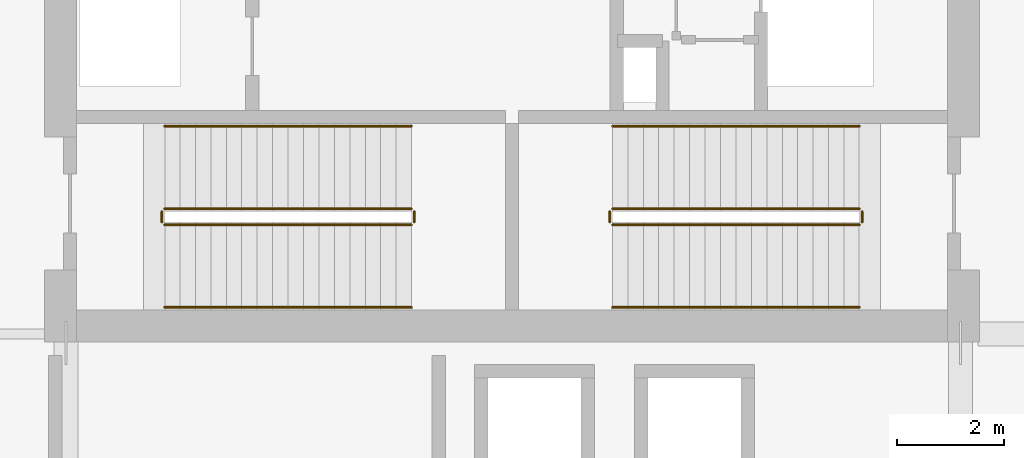
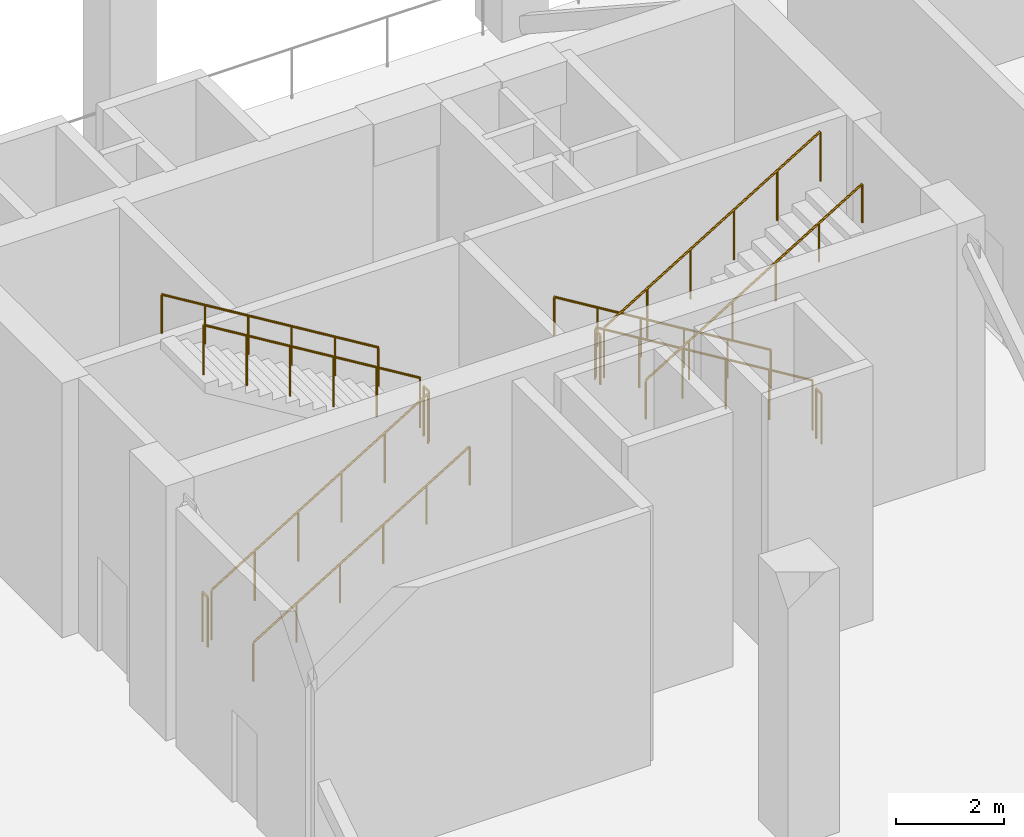
# One storey, part 15 of 18: 12 railings.
"""IFC4 building model written with IfcOpenShell, lengths in metres."""

from ifc_helpers import new_model, si_unit, direction, frame, origin, origin_2d, place, context, subcontext, project, spatial, circle, extrude, material, type_object, element, save


model = new_model("IFC4")

# Units and contexts
model_context = context("Model", 3, precision=1e-05, world=origin(), true_north=direction((0.0, 1.0)))
body_context = subcontext(model_context, "Body", "Model", "MODEL_VIEW")
ifc_project = project(units=[si_unit("LENGTHUNIT", "METRE"), si_unit("AREAUNIT", "SQUARE_METRE"), si_unit("VOLUMEUNIT", "CUBIC_METRE"), si_unit("PLANEANGLEUNIT", "RADIAN"), si_unit("MASSUNIT", "GRAM", prefix="KILO")], contexts=[model_context])

# Site, building, storey
site_placement = place(None, origin())
site = spatial("IfcSite", under=ifc_project, at=site_placement, CompositionType="ELEMENT")
building_placement = place(site_placement, origin())
building = spatial("IfcBuilding", under=site, at=building_placement, Name="Koriwani Terraces Tower", CompositionType="ELEMENT")
storey_placement = place(building_placement, frame((0.0, 0.0, 228.199951171875)))
storey = spatial("IfcBuildingStorey", under=building, at=storey_placement, Name="L56", CompositionType="ELEMENT", Elevation=228.199951171875)

# Railings
ifc_material = material(Name="Steel ASTM A572 Grade 50", Category="steel")
railing_type_1 = type_object("IfcRailingType", Name="GUARD_STAIR_WELL_1120", PredefinedType="GUARDRAIL", material=ifc_material)
railing_1_placement = place(storey_placement, frame((43.85009765625, 18.85009765625, 0.176513671875)))
element("IfcRailing", 1, at=railing_1_placement, inside=storey, type_object=railing_type_1, Name="L56 ST-E1 stair guard 1", PredefinedType="GUARDRAIL", context=body_context, shape_type="SweptSolid", body=[
    extrude(circle(Radius=0.02392578125, at=origin_2d()), frame((0.0, 0.0, 1.1259765625), z_axis=(0.854263648073, 0.0, 0.51983999421), x_axis=(0.0, 1.0, 0.0)), (0.0, 0.0, 1.0), 5.431396484375),
    extrude(circle(Radius=0.02099609375, at=origin_2d()), origin(), (0.0, 0.0, 1.0), 1.101806640625),
    extrude(circle(Radius=0.02099609375, at=origin_2d()), frame((0.927978515625, 0.0, 0.564697265625)), (0.0, 0.0, 1.0), 1.101806640625),
    extrude(circle(Radius=0.02099609375, at=origin_2d()), frame((1.85595703125, 0.0, 1.12939453125)), (0.0, 0.0, 1.0), 1.101806640625),
    extrude(circle(Radius=0.02099609375, at=origin_2d()), frame((2.783935546875, 0.0, 1.694091796875)), (0.0, 0.0, 1.0), 1.101806640625),
    extrude(circle(Radius=0.02099609375, at=origin_2d()), frame((3.7119140625, 0.0, 2.2587890625)), (0.0, 0.0, 1.0), 1.101806640625),
    extrude(circle(Radius=0.02099609375, at=origin_2d()), frame((4.639892578125, 0.0, 2.823486328125)), (0.0, 0.0, 1.0), 1.101806640625),
])
railing_2_placement = place(storey_placement, frame((48.5400390625, 18.89990234375, 3.0)))
element("IfcRailing", 2, at=railing_2_placement, inside=storey, type_object=railing_type_1, Name="L56 ST-E1 stair guard 2", PredefinedType="GUARDRAIL", context=body_context, shape_type="SweptSolid", body=[
    extrude(circle(Radius=0.02392578125, at=origin_2d()), frame((0.0, 0.0, 1.1259765625), z_axis=(0.0, 1.0, 0.0), x_axis=(-1.0, 0.0, 0.0)), (0.0, 0.0, 1.0), 0.2001953125),
    extrude(circle(Radius=0.02099609375, at=origin_2d()), origin(), (0.0, 0.0, 1.0), 1.101806640625),
    extrude(circle(Radius=0.02099609375, at=origin_2d()), frame((0.0, 0.2001953125, 0.0)), (0.0, 0.0, 1.0), 1.101806640625),
])
railing_3_placement = place(storey_placement, frame((48.489990234375, 19.14990234375, 3.176513671875)))
element("IfcRailing", 3, at=railing_3_placement, inside=storey, type_object=railing_type_1, Name="L56 ST-E1 stair guard 3", PredefinedType="GUARDRAIL", context=body_context, shape_type="SweptSolid", body=[
    extrude(circle(Radius=0.02392578125, at=origin_2d()), frame((0.0, 0.0, 1.1259765625), z_axis=(-0.854263648073, 0.0, 0.51983999421), x_axis=(0.0, -1.0, 0.0)), (0.0, 0.0, 1.0), 5.431396484375),
    extrude(circle(Radius=0.02099609375, at=origin_2d()), origin(), (0.0, 0.0, 1.0), 1.101806640625),
    extrude(circle(Radius=0.02099609375, at=origin_2d()), frame((-0.927978515625, 0.0, 0.564697265625)), (0.0, 0.0, 1.0), 1.101806640625),
    extrude(circle(Radius=0.02099609375, at=origin_2d()), frame((-1.85595703125, 0.0, 1.12939453125)), (0.0, 0.0, 1.0), 1.101806640625),
    extrude(circle(Radius=0.02099609375, at=origin_2d()), frame((-2.783935546875, 0.0, 1.694091796875)), (0.0, 0.0, 1.0), 1.101806640625),
    extrude(circle(Radius=0.02099609375, at=origin_2d()), frame((-3.7119140625, 0.0, 2.2587890625)), (0.0, 0.0, 1.0), 1.101806640625),
    extrude(circle(Radius=0.02099609375, at=origin_2d()), frame((-4.639892578125, 0.0, 2.823486328125)), (0.0, 0.0, 1.0), 1.101806640625),
])
railing_4_placement = place(storey_placement, frame((43.800048828125, 18.89990234375, 0.0)))
element("IfcRailing", 4, at=railing_4_placement, inside=storey, type_object=railing_type_1, Name="L56 ST-E1 stair guard 4", PredefinedType="GUARDRAIL", context=body_context, shape_type="SweptSolid", body=[
    extrude(circle(Radius=0.02392578125, at=origin_2d()), frame((0.0, 0.0, 1.1259765625), z_axis=(0.0, 1.0, 0.0), x_axis=(-1.0, 0.0, 0.0)), (0.0, 0.0, 1.0), 0.2001953125),
    extrude(circle(Radius=0.02099609375, at=origin_2d()), origin(), (0.0, 0.0, 1.0), 1.101806640625),
    extrude(circle(Radius=0.02099609375, at=origin_2d()), frame((0.0, 0.2001953125, 0.0)), (0.0, 0.0, 1.0), 1.101806640625),
])
railing_5_placement = place(storey_placement, frame((56.89990234375, 19.14990234375, 0.176513671875)))
element("IfcRailing", 5, at=railing_5_placement, inside=storey, type_object=railing_type_1, Name="L56 ST-E2 stair guard 1", PredefinedType="GUARDRAIL", context=body_context, shape_type="SweptSolid", body=[
    extrude(circle(Radius=0.02392578125, at=origin_2d()), frame((0.0, 0.0, 1.1259765625), z_axis=(-0.854263648073, 0.0, 0.51983999421), x_axis=(0.0, -1.0, 0.0)), (0.0, 0.0, 1.0), 5.431396484375),
    extrude(circle(Radius=0.02099609375, at=origin_2d()), origin(), (0.0, 0.0, 1.0), 1.101806640625),
    extrude(circle(Radius=0.02099609375, at=origin_2d()), frame((-0.927978515625, 0.0, 0.564697265625)), (0.0, 0.0, 1.0), 1.101806640625),
    extrude(circle(Radius=0.02099609375, at=origin_2d()), frame((-1.85595703125, 0.0, 1.12939453125)), (0.0, 0.0, 1.0), 1.101806640625),
    extrude(circle(Radius=0.02099609375, at=origin_2d()), frame((-2.783935546875, 0.0, 1.694091796875)), (0.0, 0.0, 1.0), 1.101806640625),
    extrude(circle(Radius=0.02099609375, at=origin_2d()), frame((-3.7119140625, 0.0, 2.2587890625)), (0.0, 0.0, 1.0), 1.101806640625),
    extrude(circle(Radius=0.02099609375, at=origin_2d()), frame((-4.639892578125, 0.0, 2.823486328125)), (0.0, 0.0, 1.0), 1.101806640625),
])
railing_6_placement = place(storey_placement, frame((52.2099609375, 19.10009765625, 3.0)))
element("IfcRailing", 6, at=railing_6_placement, inside=storey, type_object=railing_type_1, Name="L56 ST-E2 stair guard 2", PredefinedType="GUARDRAIL", context=body_context, shape_type="SweptSolid", body=[
    extrude(circle(Radius=0.02392578125, at=origin_2d()), frame((0.0, 0.0, 1.1259765625), z_axis=(0.0, -1.0, 0.0), x_axis=(1.0, 0.0, 0.0)), (0.0, 0.0, 1.0), 0.2001953125),
    extrude(circle(Radius=0.02099609375, at=origin_2d()), origin(), (0.0, 0.0, 1.0), 1.101806640625),
    extrude(circle(Radius=0.02099609375, at=origin_2d()), frame((0.0, -0.2001953125, 0.0)), (0.0, 0.0, 1.0), 1.101806640625),
])
railing_7_placement = place(storey_placement, frame((52.260009765625, 18.85009765625, 3.176513671875)))
element("IfcRailing", 7, at=railing_7_placement, inside=storey, type_object=railing_type_1, Name="L56 ST-E2 stair guard 3", PredefinedType="GUARDRAIL", context=body_context, shape_type="SweptSolid", body=[
    extrude(circle(Radius=0.02392578125, at=origin_2d()), frame((0.0, 0.0, 1.1259765625), z_axis=(0.854263648073, 0.0, 0.51983999421), x_axis=(0.0, 1.0, 0.0)), (0.0, 0.0, 1.0), 5.431396484375),
    extrude(circle(Radius=0.02099609375, at=origin_2d()), origin(), (0.0, 0.0, 1.0), 1.101806640625),
    extrude(circle(Radius=0.02099609375, at=origin_2d()), frame((0.927978515625, 0.0, 0.564697265625)), (0.0, 0.0, 1.0), 1.101806640625),
    extrude(circle(Radius=0.02099609375, at=origin_2d()), frame((1.85595703125, 0.0, 1.12939453125)), (0.0, 0.0, 1.0), 1.101806640625),
    extrude(circle(Radius=0.02099609375, at=origin_2d()), frame((2.783935546875, 0.0, 1.694091796875)), (0.0, 0.0, 1.0), 1.101806640625),
    extrude(circle(Radius=0.02099609375, at=origin_2d()), frame((3.7119140625, 0.0, 2.2587890625)), (0.0, 0.0, 1.0), 1.101806640625),
    extrude(circle(Radius=0.02099609375, at=origin_2d()), frame((4.639892578125, 0.0, 2.823486328125)), (0.0, 0.0, 1.0), 1.101806640625),
])
railing_8_placement = place(storey_placement, frame((56.949951171875, 19.10009765625, 0.0)))
element("IfcRailing", 8, at=railing_8_placement, inside=storey, type_object=railing_type_1, Name="L56 ST-E2 stair guard 4", PredefinedType="GUARDRAIL", context=body_context, shape_type="SweptSolid", body=[
    extrude(circle(Radius=0.02392578125, at=origin_2d()), frame((0.0, 0.0, 1.1259765625), z_axis=(0.0, -1.0, 0.0), x_axis=(1.0, 0.0, 0.0)), (0.0, 0.0, 1.0), 0.2001953125),
    extrude(circle(Radius=0.02099609375, at=origin_2d()), origin(), (0.0, 0.0, 1.0), 1.101806640625),
    extrude(circle(Radius=0.02099609375, at=origin_2d()), frame((0.0, -0.2001953125, 0.0)), (0.0, 0.0, 1.0), 1.101806640625),
])
railing_type_2 = type_object("IfcRailingType", Name="HANDRAIL_STAIR_920", PredefinedType="HANDRAIL", material=ifc_material)
railing_9_placement = place(storey_placement, frame((43.85009765625, 17.300048828125, 0.176513671875)))
element("IfcRailing", 9, at=railing_9_placement, inside=storey, type_object=railing_type_2, Name="L56 ST-E1 stair handrail 1", PredefinedType="HANDRAIL", context=body_context, shape_type="SweptSolid", body=[
    extrude(circle(Radius=0.02392578125, at=origin_2d()), frame((0.0, 0.0, 0.8759765625), z_axis=(0.854263648073, 0.0, 0.51983999421), x_axis=(0.0, 1.0, 0.0)), (0.0, 0.0, 1.0), 5.431396484375),
    extrude(circle(Radius=0.02099609375, at=origin_2d()), origin(), (0.0, 0.0, 1.0), 0.851806640625),
    extrude(circle(Radius=0.02099609375, at=origin_2d()), frame((0.927978515625, 0.0, 0.564697265625)), (0.0, 0.0, 1.0), 0.851806640625),
    extrude(circle(Radius=0.02099609375, at=origin_2d()), frame((1.85595703125, 0.0, 1.12939453125)), (0.0, 0.0, 1.0), 0.851806640625),
    extrude(circle(Radius=0.02099609375, at=origin_2d()), frame((2.783935546875, 0.0, 1.694091796875)), (0.0, 0.0, 1.0), 0.851806640625),
    extrude(circle(Radius=0.02099609375, at=origin_2d()), frame((3.7119140625, 0.0, 2.2587890625)), (0.0, 0.0, 1.0), 0.851806640625),
    extrude(circle(Radius=0.02099609375, at=origin_2d()), frame((4.639892578125, 0.0, 2.823486328125)), (0.0, 0.0, 1.0), 0.851806640625),
])
for number, where, name in (
    (10, (48.489990234375, 20.699951171875, 3.176513671875), "L56 ST-E1 stair handrail 2"),
    (11, (56.89990234375, 20.699951171875, 0.176513671875), "L56 ST-E2 stair handrail 1"),
):
    element("IfcRailing", number, at=place(storey_placement, frame(where)), inside=storey, type_object=railing_type_2, Name=name, PredefinedType="HANDRAIL", context=body_context, shape_type="SweptSolid", body=[
        extrude(circle(Radius=0.02392578125, at=origin_2d()), frame((0.0, 0.0, 0.8759765625), z_axis=(-0.854263648073, 0.0, 0.51983999421), x_axis=(0.0, -1.0, 0.0)), (0.0, 0.0, 1.0), 5.431396484375),
        extrude(circle(Radius=0.02099609375, at=origin_2d()), origin(), (0.0, 0.0, 1.0), 0.851806640625),
        extrude(circle(Radius=0.02099609375, at=origin_2d()), frame((-0.927978515625, 0.0, 0.564697265625)), (0.0, 0.0, 1.0), 0.851806640625),
        extrude(circle(Radius=0.02099609375, at=origin_2d()), frame((-1.85595703125, 0.0, 1.12939453125)), (0.0, 0.0, 1.0), 0.851806640625),
        extrude(circle(Radius=0.02099609375, at=origin_2d()), frame((-2.783935546875, 0.0, 1.694091796875)), (0.0, 0.0, 1.0), 0.851806640625),
        extrude(circle(Radius=0.02099609375, at=origin_2d()), frame((-3.7119140625, 0.0, 2.2587890625)), (0.0, 0.0, 1.0), 0.851806640625),
        extrude(circle(Radius=0.02099609375, at=origin_2d()), frame((-4.639892578125, 0.0, 2.823486328125)), (0.0, 0.0, 1.0), 0.851806640625),
    ])
railing_10_placement = place(storey_placement, frame((52.260009765625, 17.300048828125, 3.176513671875)))
element("IfcRailing", 12, at=railing_10_placement, inside=storey, type_object=railing_type_2, Name="L56 ST-E2 stair handrail 2", PredefinedType="HANDRAIL", context=body_context, shape_type="SweptSolid", body=[
    extrude(circle(Radius=0.02392578125, at=origin_2d()), frame((0.0, 0.0, 0.8759765625), z_axis=(0.854263648073, 0.0, 0.51983999421), x_axis=(0.0, 1.0, 0.0)), (0.0, 0.0, 1.0), 5.431396484375),
    extrude(circle(Radius=0.02099609375, at=origin_2d()), origin(), (0.0, 0.0, 1.0), 0.851806640625),
    extrude(circle(Radius=0.02099609375, at=origin_2d()), frame((0.927978515625, 0.0, 0.564697265625)), (0.0, 0.0, 1.0), 0.851806640625),
    extrude(circle(Radius=0.02099609375, at=origin_2d()), frame((1.85595703125, 0.0, 1.12939453125)), (0.0, 0.0, 1.0), 0.851806640625),
    extrude(circle(Radius=0.02099609375, at=origin_2d()), frame((2.783935546875, 0.0, 1.694091796875)), (0.0, 0.0, 1.0), 0.851806640625),
    extrude(circle(Radius=0.02099609375, at=origin_2d()), frame((3.7119140625, 0.0, 2.2587890625)), (0.0, 0.0, 1.0), 0.851806640625),
    extrude(circle(Radius=0.02099609375, at=origin_2d()), frame((4.639892578125, 0.0, 2.823486328125)), (0.0, 0.0, 1.0), 0.851806640625),
])

save(model, "model.ifc")
